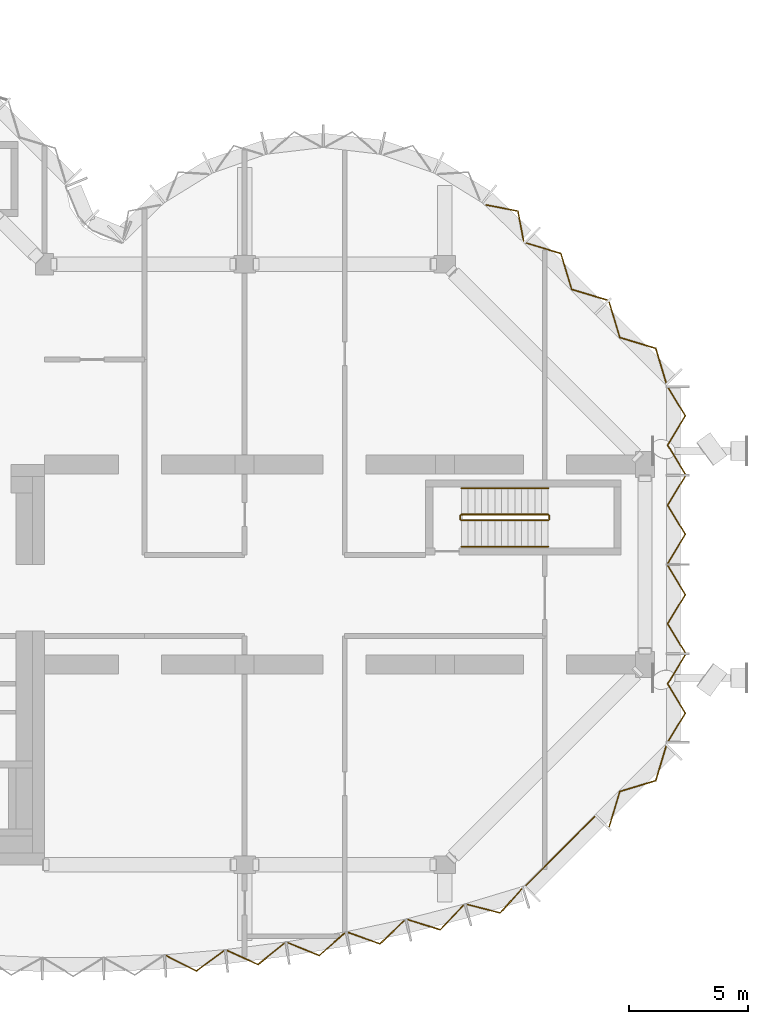
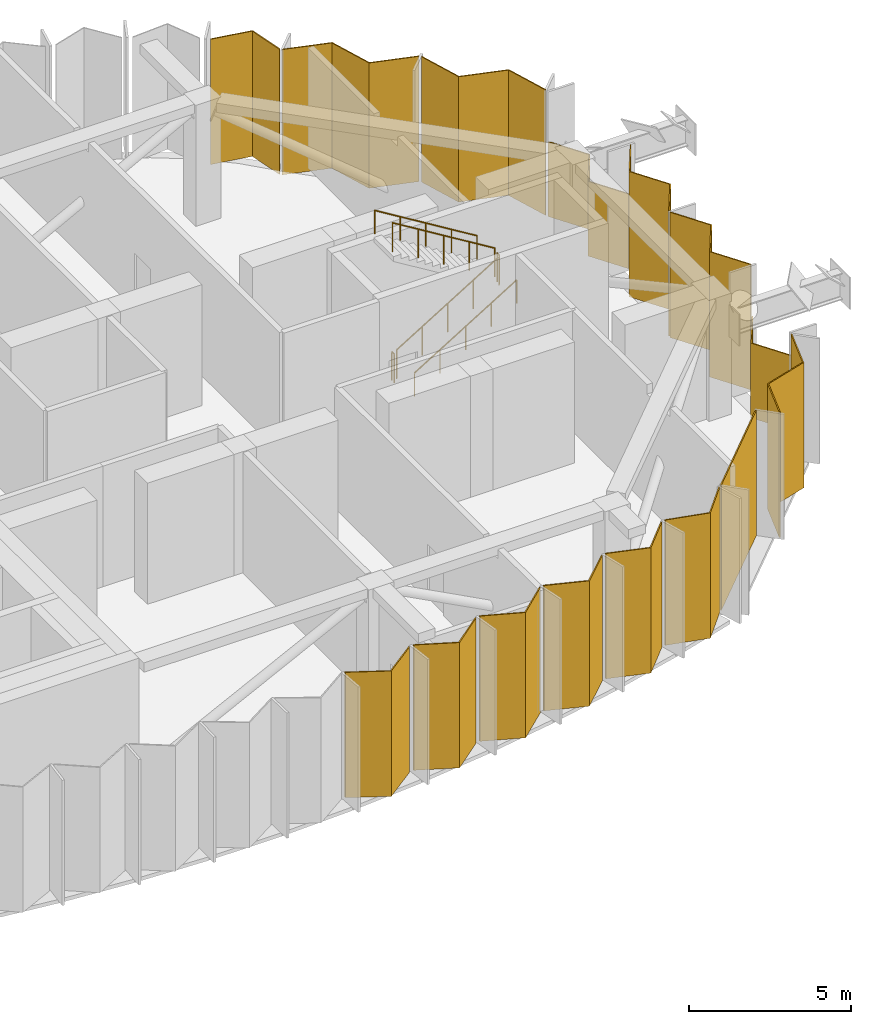
# One storey, part 11 of 13: 15 coverings, 6 railings, 5 elements without a shape of their own.
"""IFC4 building model written with IfcOpenShell, lengths in metres."""

from ifc_helpers import new_model, si_unit, direction, frame, origin, origin_2d, place, context, subcontext, project, spatial, polyline, circle, outline, extrude, material, layer, layer_set, type_object, element, aggregate, save


model = new_model("IFC4")

# Units and contexts
model_context = context("Model", 3, precision=1e-05, world=origin(), true_north=direction((0.0, 1.0)))
body_context = subcontext(model_context, "Body", "Model", "MODEL_VIEW")
ifc_project = project(units=[si_unit("LENGTHUNIT", "METRE"), si_unit("AREAUNIT", "SQUARE_METRE"), si_unit("VOLUMEUNIT", "CUBIC_METRE"), si_unit("PLANEANGLEUNIT", "RADIAN"), si_unit("MASSUNIT", "GRAM", prefix="KILO")], contexts=[model_context])

# Site, building, storey
site_placement = place(None, origin())
site = spatial("IfcSite", under=ifc_project, at=site_placement, CompositionType="ELEMENT")
building_placement = place(site_placement, origin())
building = spatial("IfcBuilding", under=site, at=building_placement, Name="Brevane Broadcast Tower", CompositionType="ELEMENT")
storey_placement = place(building_placement, frame((0.0, 0.0, 210.89990234375)))
storey = spatial("IfcBuildingStorey", under=building, at=storey_placement, Name="L53", CompositionType="ELEMENT", Elevation=210.89990234375)

# Curtain wall, coverings
ifc_material_1 = material(Name="Aluminium 6063-T6 bronze anodised", Category="aluminium")
curtain_wall_type = type_object("IfcCurtainWallType", Name="CW-3 curtain wall", PredefinedType="NOTDEFINED", material=ifc_material_1)
curtain_wall_1_placement = place(storey_placement, origin())
curtain_wall_1 = element("IfcCurtainWall", 1, at=curtain_wall_1_placement, inside=storey, type_object=curtain_wall_type, Name="CW-3 refuge louvre unit L53 south bow", PredefinedType="NOTDEFINED")
ifc_material_2 = material(Name="Aluminium bronze anodised cladding", Category="aluminium")
ifc_layer = layer(ifc_material_2, 0.050048828125)
ifc_layer_set = layer_set([ifc_layer], Name="CW refuge spandrel 50")
covering_type = type_object("IfcCoveringType", Name="CW refuge spandrel 50", PredefinedType="CLADDING", material=ifc_layer_set)
covering_1_placement = place(storey_placement, frame((0.0, 0.0, -0.159912109375)))
covering_1 = element("IfcCovering", 2, at=covering_1_placement, type_object=covering_type, Name="Refuge cladding panel", PredefinedType="CLADDING", context=body_context, shape_type="SweptSolid", body=[
    extrude(outline(polyline([(30.32080078125, -3.796142578125), (30.323486328125, -3.842529296875), (31.581298828125, -4.484130859375), (32.722412109375, -3.639404296875), (32.71728515625, -3.59326171875), (31.577392578125, -4.437255859375), (30.32080078125, -3.796142578125)])), origin(), (0.0, 0.0, 1.0), 4.7099609375),
])
covering_2_placement = place(storey_placement, frame((0.0, 0.0, -0.159912109375)))
covering_2 = element("IfcCovering", 3, at=covering_2_placement, type_object=covering_type, Name="Refuge cladding panel", PredefinedType="CLADDING", context=body_context, shape_type="SweptSolid", body=[
    extrude(outline(polyline([(32.8740234375, -3.576904296875), (32.87890625, -3.623291015625), (34.164794921875, -4.21142578125), (35.26708984375, -3.3203125), (35.26025390625, -3.2744140625), (34.158935546875, -4.164794921875), (32.8740234375, -3.576904296875)])), origin(), (0.0, 0.0, 1.0), 4.7099609375),
])
covering_3_placement = place(storey_placement, frame((0.0, 0.0, -0.159912109375)))
covering_3 = element("IfcCovering", 4, at=covering_3_placement, type_object=covering_type, Name="Refuge cladding panel", PredefinedType="CLADDING", context=body_context, shape_type="SweptSolid", body=[
    extrude(outline(polyline([(35.416015625, -3.251220703125), (35.4228515625, -3.29736328125), (36.73486328125, -3.830810546875), (37.79638671875, -2.89501953125), (37.78759765625, -2.849609375), (36.726806640625, -3.78466796875), (35.416015625, -3.251220703125)])), origin(), (0.0, 0.0, 1.0), 4.7099609375),
])
covering_4_placement = place(storey_placement, frame((0.0, 0.0, -0.159912109375)))
covering_4 = element("IfcCovering", 5, at=covering_4_placement, type_object=covering_type, Name="Refuge cladding panel", PredefinedType="CLADDING", context=body_context, shape_type="SweptSolid", body=[
    extrude(outline(polyline([(37.9423828125, -2.81982421875), (37.950927734375, -2.865478515625), (39.28662109375, -3.343505859375), (40.3056640625, -2.36474609375), (40.294921875, -2.319580078125), (39.276611328125, -3.29736328125), (37.9423828125, -2.81982421875)])), origin(), (0.0, 0.0, 1.0), 4.7099609375),
])
covering_5_placement = place(storey_placement, frame((0.0, 0.0, -0.159912109375)))
covering_5 = element("IfcCovering", 6, at=covering_5_placement, type_object=covering_type, Name="Refuge cladding panel", PredefinedType="CLADDING", context=body_context, shape_type="SweptSolid", body=[
    extrude(outline(polyline([(40.4482421875, -2.283203125), (40.458984375, -2.328369140625), (41.81591796875, -2.749755859375), (42.790771484375, -1.72998046875), (42.7783203125, -1.685302734375), (41.803955078125, -2.7041015625), (40.4482421875, -2.283203125)])), origin(), (0.0, 0.0, 1.0), 4.7099609375),
])
covering_6_placement = place(storey_placement, frame((0.0, 0.0, -0.159912109375)))
covering_6 = element("IfcCovering", 7, at=covering_6_placement, type_object=covering_type, Name="Refuge cladding panel", PredefinedType="CLADDING", context=body_context, shape_type="SweptSolid", body=[
    extrude(outline(polyline([(42.9296875, -1.642578125), (42.942138671875, -1.68701171875), (44.336669921875, -2.044921875), (45.282958984375, -0.982177734375), (45.26953125, -0.937255859375), (44.322998046875, -2.000244140625), (42.9296875, -1.642578125)])), origin(), (0.0, 0.0, 1.0), 4.7099609375),
])
aggregate(curtain_wall_1, [covering_1, covering_2, covering_3, covering_4, covering_5, covering_6])

curtain_wall_2_placement = place(storey_placement, origin())
curtain_wall_2 = element("IfcCurtainWall", 8, at=curtain_wall_2_placement, inside=storey, type_object=curtain_wall_type, Name="CW-3 refuge louvre unit L53 south-east chamfer", PredefinedType="NOTDEFINED")
covering_7_placement = place(storey_placement, frame((0.0, 0.0, -0.159912109375)))
covering_7 = element("IfcCovering", 9, at=covering_7_placement, type_object=covering_type, Name="Refuge cladding panel", PredefinedType="CLADDING", context=body_context, shape_type="SweptSolid", body=[
    extrude(outline(polyline([(45.349609375, -0.892822265625), (48.29296875, 2.050537109375), (48.3212890625, 2.022216796875), (45.377685546875, -0.921142578125), (45.349609375, -0.892822265625)])), origin(), (0.0, 0.0, 1.0), 4.7099609375),
])
covering_8_placement = place(storey_placement, frame((0.0, 0.0, -0.159912109375)))
covering_8 = element("IfcCovering", 10, at=covering_8_placement, type_object=covering_type, Name="Refuge cladding panel", PredefinedType="CLADDING", context=body_context, shape_type="SweptSolid", body=[
    extrude(outline(polyline([(48.8740234375, 1.58251953125), (48.906005859375, 1.550537109375), (49.36083984375, 3.05810546875), (50.868408203125, 3.5126953125), (51.322998046875, 5.020263671875), (51.291015625, 5.052490234375), (50.836181640625, 3.544921875), (49.32861328125, 3.090087890625), (48.8740234375, 1.58251953125)])), origin(), (0.0, 0.0, 1.0), 4.7099609375),
])
aggregate(curtain_wall_2, [covering_7, covering_8])

curtain_wall_3_placement = place(storey_placement, origin())
curtain_wall_3 = element("IfcCurtainWall", 11, at=curtain_wall_3_placement, inside=storey, type_object=curtain_wall_type, Name="CW-3 refuge louvre unit L53 east end", PredefinedType="NOTDEFINED")
covering_9_placement = place(storey_placement, frame((0.0, 0.0, -0.159912109375)))
covering_9 = element("IfcCovering", 12, at=covering_9_placement, type_object=covering_type, Name="Refuge cladding panel", PredefinedType="CLADDING", context=body_context, shape_type="SweptSolid", body=[
    extrude(outline(polyline([(51.32666015625, 5.139892578125), (51.373291015625, 5.139892578125), (52.117919921875, 6.36328125), (51.373291015625, 7.586669921875), (52.117919921875, 8.81005859375), (52.071044921875, 8.81005859375), (51.32666015625, 7.586669921875), (52.071044921875, 6.36328125), (51.32666015625, 5.139892578125)])), origin(), (0.0, 0.0, 1.0), 2.81005859375),
])
covering_10_placement = place(storey_placement, frame((0.0, 0.0, -0.159912109375)))
covering_10 = element("IfcCovering", 13, at=covering_10_placement, type_object=covering_type, Name="Refuge cladding panel", PredefinedType="CLADDING", context=body_context, shape_type="SweptSolid", body=[
    extrude(outline(polyline([(52.071044921875, 8.889892578125), (52.117919921875, 8.889892578125), (51.373291015625, 10.11328125), (52.117919921875, 11.336669921875), (51.373291015625, 12.56005859375), (51.32666015625, 12.56005859375), (52.071044921875, 11.336669921875), (51.32666015625, 10.11328125), (52.071044921875, 8.889892578125)])), origin(), (0.0, 0.0, 1.0), 4.7099609375),
])
covering_11_placement = place(storey_placement, frame((0.0, 0.0, -0.159912109375)))
covering_11 = element("IfcCovering", 14, at=covering_11_placement, type_object=covering_type, Name="Refuge cladding panel", PredefinedType="CLADDING", context=body_context, shape_type="SweptSolid", body=[
    extrude(outline(polyline([(51.32666015625, 12.639892578125), (51.373291015625, 12.639892578125), (52.117919921875, 13.86328125), (51.373291015625, 15.086669921875), (52.117919921875, 16.31005859375), (52.071044921875, 16.31005859375), (51.32666015625, 15.086669921875), (52.071044921875, 13.86328125), (51.32666015625, 12.639892578125)])), origin(), (0.0, 0.0, 1.0), 4.7099609375),
])
covering_12_placement = place(storey_placement, frame((0.0, 0.0, -0.159912109375)))
covering_12 = element("IfcCovering", 15, at=covering_12_placement, type_object=covering_type, Name="Refuge cladding panel", PredefinedType="CLADDING", context=body_context, shape_type="SweptSolid", body=[
    extrude(outline(polyline([(52.071044921875, 16.389892578125), (52.117919921875, 16.389892578125), (51.373291015625, 17.61328125), (52.117919921875, 18.836669921875), (51.373291015625, 20.06005859375), (51.32666015625, 20.06005859375), (52.071044921875, 18.836669921875), (51.32666015625, 17.61328125), (52.071044921875, 16.389892578125)])), origin(), (0.0, 0.0, 1.0), 2.81005859375),
])
aggregate(curtain_wall_3, [covering_9, covering_10, covering_11, covering_12])

curtain_wall_4_placement = place(storey_placement, origin())
curtain_wall_4 = element("IfcCurtainWall", 16, at=curtain_wall_4_placement, inside=storey, type_object=curtain_wall_type, Name="CW-3 refuge louvre unit L53 north-east chamfer", PredefinedType="NOTDEFINED")
covering_13_placement = place(storey_placement, frame((0.0, 0.0, -0.159912109375)))
covering_13 = element("IfcCovering", 17, at=covering_13_placement, type_object=covering_type, Name="Refuge cladding panel", PredefinedType="CLADDING", context=body_context, shape_type="SweptSolid", body=[
    extrude(outline(polyline([(51.291015625, 20.147705078125), (51.322998046875, 20.1796875), (50.868408203125, 21.687255859375), (49.36083984375, 22.14208984375), (48.906005859375, 23.6494140625), (48.8740234375, 23.617431640625), (49.32861328125, 22.10986328125), (50.836181640625, 21.655029296875), (51.291015625, 20.147705078125)])), origin(), (0.0, 0.0, 1.0), 4.7099609375),
])
covering_14_placement = place(storey_placement, frame((0.0, 0.0, -0.159912109375)))
covering_14 = element("IfcCovering", 18, at=covering_14_placement, type_object=covering_type, Name="Refuge cladding panel", PredefinedType="CLADDING", context=body_context, shape_type="SweptSolid", body=[
    extrude(outline(polyline([(48.8173828125, 23.674072265625), (48.849609375, 23.7060546875), (47.342041015625, 24.160888671875), (46.88720703125, 25.668212890625), (45.379638671875, 26.123046875), (45.34765625, 26.091064453125), (46.85498046875, 25.63623046875), (47.309814453125, 24.128662109375), (48.8173828125, 23.674072265625)])), origin(), (0.0, 0.0, 1.0), 4.7099609375),
])
aggregate(curtain_wall_4, [covering_13, covering_14])

# Curtain wall, covering
curtain_wall_5_placement = place(storey_placement, origin())
curtain_wall_5 = element("IfcCurtainWall", 19, at=curtain_wall_5_placement, inside=storey, type_object=curtain_wall_type, Name="CW-3 refuge louvre unit L53 east bow", PredefinedType="NOTDEFINED")
covering_15_placement = place(storey_placement, frame((0.0, 0.0, -0.159912109375)))
covering_15 = element("IfcCovering", 20, at=covering_15_placement, type_object=covering_type, Name="Refuge cladding panel", PredefinedType="CLADDING", context=body_context, shape_type="SweptSolid", body=[
    extrude(outline(polyline([(45.290283203125, 26.1474609375), (45.324462890625, 26.1826171875), (45.086181640625, 27.447265625), (43.7421875, 27.7080078125), (43.714599609375, 27.672607421875), (45.052001953125, 27.4130859375), (45.290283203125, 26.1474609375)])), origin(), (0.0, 0.0, 1.0), 4.7099609375),
])
aggregate(curtain_wall_5, [covering_15])

# Railings
ifc_material_3 = material(Name="Steel S355", Category="steel")
railing_type_1 = type_object("IfcRailingType", Name="Exit stair guard", PredefinedType="GUARDRAIL", material=ifc_material_3)
railing_1_placement = place(storey_placement, frame((42.699951171875, 14.449951171875, 0.171630859375)))
element("IfcRailing", 21, at=railing_1_placement, inside=storey, type_object=railing_type_1, Name="L53 ST-4 stair guard 1", PredefinedType="GUARDRAIL", context=body_context, shape_type="SweptSolid", body=[
    extrude(circle(Radius=0.02392578125, at=origin_2d()), frame((0.0, 0.0, 1.076171875), z_axis=(0.852865859571, 0.0, 0.52213008492), x_axis=(0.0, 1.0, 0.0)), (0.0, 0.0, 1.0), 4.26806640625),
    extrude(circle(Radius=0.02099609375, at=origin_2d()), origin(), (0.0, 0.0, 1.0), 1.052001953125),
    extrude(circle(Radius=0.02099609375, at=origin_2d()), frame((0.91015625, 0.0, 0.55712890625)), (0.0, 0.0, 1.0), 1.052001953125),
    extrude(circle(Radius=0.02099609375, at=origin_2d()), frame((1.820068359375, 0.0, 1.1142578125)), (0.0, 0.0, 1.0), 1.052001953125),
    extrude(circle(Radius=0.02099609375, at=origin_2d()), frame((2.72998046875, 0.0, 1.67138671875)), (0.0, 0.0, 1.0), 1.052001953125),
    extrude(circle(Radius=0.02099609375, at=origin_2d()), frame((3.64013671875, 0.0, 2.228515625)), (0.0, 0.0, 1.0), 1.052001953125),
])
railing_2_placement = place(storey_placement, frame((46.389892578125, 14.5, 2.400146484375)))
element("IfcRailing", 22, at=railing_2_placement, inside=storey, type_object=railing_type_1, Name="L53 ST-4 stair guard 2", PredefinedType="GUARDRAIL", context=body_context, shape_type="SweptSolid", body=[
    extrude(circle(Radius=0.02392578125, at=origin_2d()), frame((0.0, 0.0, 1.076171875), z_axis=(0.0, 1.0, 0.0), x_axis=(-1.0, 0.0, 0.0)), (0.0, 0.0, 1.0), 0.14990234375),
    extrude(circle(Radius=0.02099609375, at=origin_2d()), origin(), (0.0, 0.0, 1.0), 1.052001953125),
    extrude(circle(Radius=0.02099609375, at=origin_2d()), frame((0.0, 0.14990234375, 0.0)), (0.0, 0.0, 1.0), 1.052001953125),
])
railing_3_placement = place(storey_placement, frame((46.340087890625, 14.699951171875, 2.571533203125)))
element("IfcRailing", 23, at=railing_3_placement, inside=storey, type_object=railing_type_1, Name="L53 ST-4 stair guard 3", PredefinedType="GUARDRAIL", context=body_context, shape_type="SweptSolid", body=[
    extrude(circle(Radius=0.02392578125, at=origin_2d()), frame((0.0, 0.0, 1.076171875), z_axis=(-0.852865859571, 0.0, 0.52213008492), x_axis=(0.0, -1.0, 0.0)), (0.0, 0.0, 1.0), 4.26806640625),
    extrude(circle(Radius=0.02099609375, at=origin_2d()), origin(), (0.0, 0.0, 1.0), 1.052001953125),
    extrude(circle(Radius=0.02099609375, at=origin_2d()), frame((-0.91015625, 0.0, 0.55712890625)), (0.0, 0.0, 1.0), 1.052001953125),
    extrude(circle(Radius=0.02099609375, at=origin_2d()), frame((-1.820068359375, 0.0, 1.1142578125)), (0.0, 0.0, 1.0), 1.052001953125),
    extrude(circle(Radius=0.02099609375, at=origin_2d()), frame((-2.72998046875, 0.0, 1.67138671875)), (0.0, 0.0, 1.0), 1.052001953125),
    extrude(circle(Radius=0.02099609375, at=origin_2d()), frame((-3.64013671875, 0.0, 2.228515625)), (0.0, 0.0, 1.0), 1.052001953125),
])
railing_4_placement = place(storey_placement, frame((42.64990234375, 14.5, 0.0)))
element("IfcRailing", 24, at=railing_4_placement, inside=storey, type_object=railing_type_1, Name="L53 ST-4 stair guard 4", PredefinedType="GUARDRAIL", context=body_context, shape_type="SweptSolid", body=[
    extrude(circle(Radius=0.02392578125, at=origin_2d()), frame((0.0, 0.0, 1.076171875), z_axis=(0.0, 1.0, 0.0), x_axis=(-1.0, 0.0, 0.0)), (0.0, 0.0, 1.0), 0.14990234375),
    extrude(circle(Radius=0.02099609375, at=origin_2d()), origin(), (0.0, 0.0, 1.0), 1.052001953125),
    extrude(circle(Radius=0.02099609375, at=origin_2d()), frame((0.0, 0.14990234375, 0.0)), (0.0, 0.0, 1.0), 1.052001953125),
])
railing_type_2 = type_object("IfcRailingType", Name="Exit stair handrail", PredefinedType="HANDRAIL", material=ifc_material_3)
railing_5_placement = place(storey_placement, frame((42.699951171875, 13.35009765625, 0.171630859375)))
element("IfcRailing", 25, at=railing_5_placement, inside=storey, type_object=railing_type_2, Name="L53 ST-4 stair handrail 1", PredefinedType="HANDRAIL", context=body_context, shape_type="SweptSolid", body=[
    extrude(circle(Radius=0.02392578125, at=origin_2d()), frame((0.0, 0.0, 0.8759765625), z_axis=(0.852865859571, 0.0, 0.52213008492), x_axis=(0.0, 1.0, 0.0)), (0.0, 0.0, 1.0), 4.26806640625),
    extrude(circle(Radius=0.02099609375, at=origin_2d()), origin(), (0.0, 0.0, 1.0), 0.851806640625),
    extrude(circle(Radius=0.02099609375, at=origin_2d()), frame((0.91015625, 0.0, 0.55712890625)), (0.0, 0.0, 1.0), 0.851806640625),
    extrude(circle(Radius=0.02099609375, at=origin_2d()), frame((1.820068359375, 0.0, 1.1142578125)), (0.0, 0.0, 1.0), 0.851806640625),
    extrude(circle(Radius=0.02099609375, at=origin_2d()), frame((2.72998046875, 0.0, 1.67138671875)), (0.0, 0.0, 1.0), 0.851806640625),
    extrude(circle(Radius=0.02099609375, at=origin_2d()), frame((3.64013671875, 0.0, 2.228515625)), (0.0, 0.0, 1.0), 0.851806640625),
])
railing_6_placement = place(storey_placement, frame((46.340087890625, 15.800048828125, 2.571533203125)))
element("IfcRailing", 26, at=railing_6_placement, inside=storey, type_object=railing_type_2, Name="L53 ST-4 stair handrail 2", PredefinedType="HANDRAIL", context=body_context, shape_type="SweptSolid", body=[
    extrude(circle(Radius=0.02392578125, at=origin_2d()), frame((0.0, 0.0, 0.8759765625), z_axis=(-0.852865859571, 0.0, 0.52213008492), x_axis=(0.0, -1.0, 0.0)), (0.0, 0.0, 1.0), 4.26806640625),
    extrude(circle(Radius=0.02099609375, at=origin_2d()), origin(), (0.0, 0.0, 1.0), 0.851806640625),
    extrude(circle(Radius=0.02099609375, at=origin_2d()), frame((-0.91015625, 0.0, 0.55712890625)), (0.0, 0.0, 1.0), 0.851806640625),
    extrude(circle(Radius=0.02099609375, at=origin_2d()), frame((-1.820068359375, 0.0, 1.1142578125)), (0.0, 0.0, 1.0), 0.851806640625),
    extrude(circle(Radius=0.02099609375, at=origin_2d()), frame((-2.72998046875, 0.0, 1.67138671875)), (0.0, 0.0, 1.0), 0.851806640625),
    extrude(circle(Radius=0.02099609375, at=origin_2d()), frame((-3.64013671875, 0.0, 2.228515625)), (0.0, 0.0, 1.0), 0.851806640625),
])

save(model, "model.ifc")
